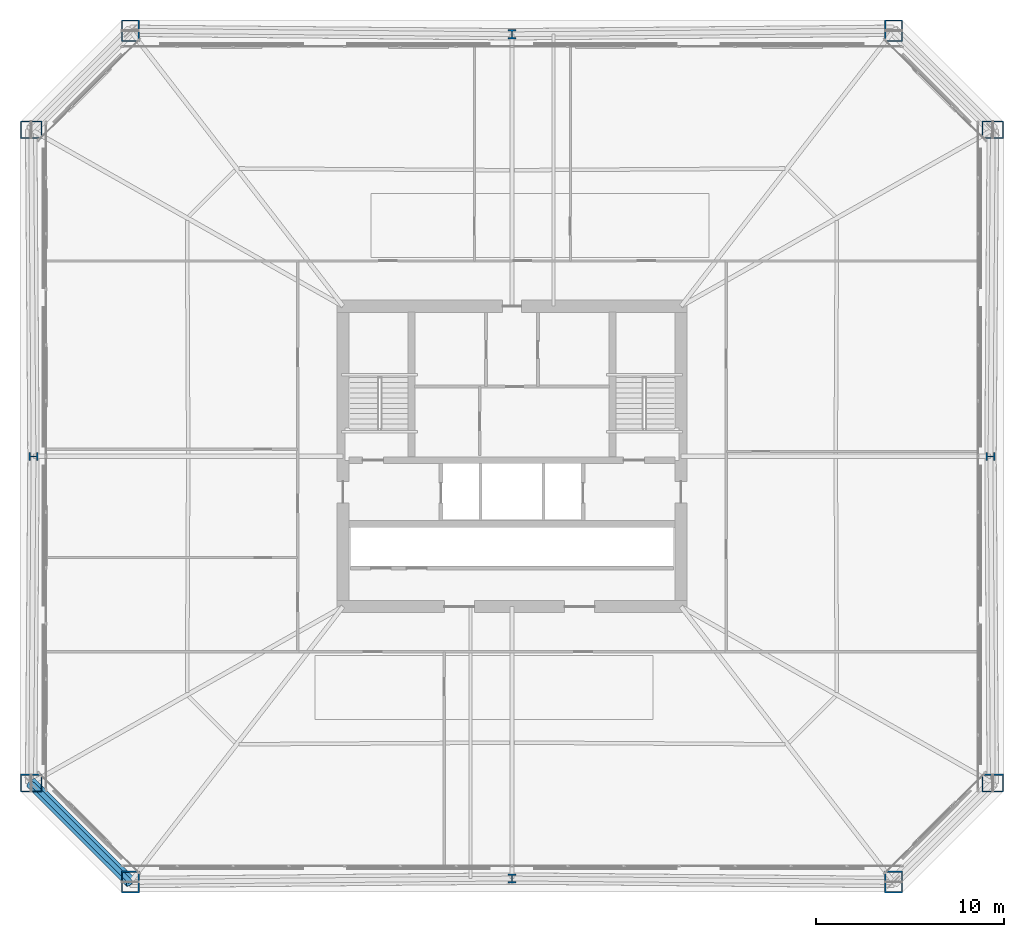
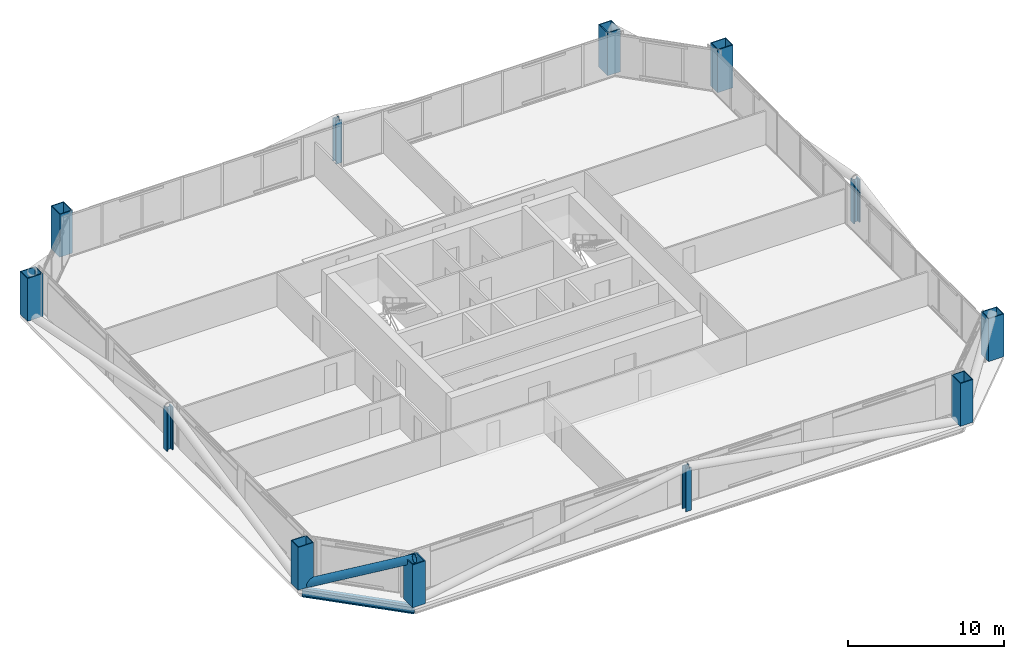
# One storey, part 1 of 50: 12 columns, 1 beam, 1 member.
"""IFC4 building model written with IfcOpenShell, lengths in metres."""

from ifc_helpers import new_model, si_unit, direction, frame, origin, origin_2d, place, context, subcontext, project, spatial, hollow_rectangle, hollow_circle, i_section, extrude, material, material_profile, profile_set, type_object, element, save


model = new_model("IFC4")

# Units and contexts
model_context = context("Model", 3, precision=1e-05, world=origin(), true_north=direction((0.0, 1.0)))
body_context = subcontext(model_context, "Body", "Model", "MODEL_VIEW")
ifc_project = project(units=[si_unit("LENGTHUNIT", "METRE"), si_unit("AREAUNIT", "SQUARE_METRE"), si_unit("VOLUMEUNIT", "CUBIC_METRE"), si_unit("PLANEANGLEUNIT", "RADIAN"), si_unit("MASSUNIT", "GRAM", prefix="KILO")], contexts=[model_context])

# Site, building, storey
site_placement = place(None, origin())
site = spatial("IfcSite", under=ifc_project, at=site_placement, CompositionType="ELEMENT")
building_placement = place(site_placement, origin())
building = spatial("IfcBuilding", under=site, at=building_placement, Name="Caelvoria Tower", CompositionType="ELEMENT")
storey_placement = place(building_placement, frame((0.0, 0.0, 71.199951171875)))
storey = spatial("IfcBuildingStorey", under=building, at=storey_placement, Name="L18", CompositionType="ELEMENT", Elevation=71.199951171875)

# Columns
ifc_material_1 = material(Name="Structural Steel ASTM A913 Gr.65", Category="steel")
ifc_material_profile_1 = material_profile(ifc_material_1, i_section(OverallWidth=0.427978515625, OverallDepth=0.48291015625, WebThickness=0.050537109375, FlangeThickness=0.08154296875, FilletRadius=0.02490234375, at=origin_2d()), Name="Structural Steel ASTM A913 Gr.65")
ifc_profile_set_1 = profile_set([ifc_material_profile_1], Name="W360X677 - Structural Steel ASTM A913 Gr.65")
column_type_1 = type_object("IfcColumnType", Name="Heavy Frame Column W360X677", PredefinedType="COLUMN", material=ifc_profile_set_1)
for number, where, z_axis, x_axis, name in (
    (1, (46.0, 9.52001953125, 0.0), (0.0, 0.0, 1.0), (1.0, 0.0, 0.0), "Perimeter Megaframe Column L18-P01"),
    (2, (71.47998046875, 32.0, 0.0), (0.0, 0.0, 1.0), (0.0, 1.0, 0.0), "Perimeter Megaframe Column L18-P04"),
    (3, (46.0, 54.47998046875, 0.0), (0.0, 0.0, 1.0), (1.0, 0.0, 0.0), "Perimeter Megaframe Column L18-P07"),
    (4, (20.52001953125, 32.0, 0.0), (0.0, 0.0, 1.0), (0.0, 1.0, 0.0), "Perimeter Megaframe Column L18-P10"),
):
    element("IfcColumn", number, at=place(storey_placement, frame(where, z_axis=z_axis, x_axis=x_axis)), inside=storey, type_object=column_type_1, Name=name, PredefinedType="COLUMN", context=body_context, shape_type="SweptSolid", body=[
        extrude(i_section(OverallWidth=0.427978515625, OverallDepth=0.48291015625, WebThickness=0.050537109375, FlangeThickness=0.08154296875, FilletRadius=0.02490234375, at=origin_2d()), origin(), (0.0, 0.0, 1.0), 3.358154296875),
    ])
ifc_material_2 = material(Name="Structural Steel ASTM A572 Gr.50", Category="steel")
ifc_material_profile_2 = material_profile(ifc_material_2, hollow_rectangle(XDim=0.949951171875, YDim=1.14990234375, WallThickness=0.06005859375, at=origin_2d()), Name="Structural Steel ASTM A572 Gr.50")
ifc_profile_set_2 = profile_set([ifc_material_profile_2], Name="BOX1150X950X60 - Structural Steel ASTM A572 Gr.50")
column_type_2 = type_object("IfcColumnType", Name="Mega Box Column 1150x950x60", PredefinedType="COLUMN", material=ifc_profile_set_2)
for number, where, z_axis, x_axis, name in (
    (5, (25.6806640625, 9.336181640625, 0.0), (0.0, 0.0, 1.0), (1.0, 0.0, 0.0), "Perimeter Megaframe Column L18-P00"),
    (6, (66.3193359375, 9.336181640625, 0.0), (0.0, 0.0, 1.0), (1.0, 0.0, 0.0), "Perimeter Megaframe Column L18-P02"),
    (7, (71.6044921875, 14.6044921875, 0.0), (0.0, 0.0, 1.0), (0.0, 1.0, 0.0), "Perimeter Megaframe Column L18-P03"),
    (8, (71.6044921875, 49.3955078125, 0.0), (0.0, 0.0, 1.0), (0.0, 1.0, 0.0), "Perimeter Megaframe Column L18-P05"),
    (9, (66.3193359375, 54.663818359375, 0.0), (0.0, 0.0, 1.0), (1.0, 0.0, 0.0), "Perimeter Megaframe Column L18-P06"),
    (10, (25.6806640625, 54.663818359375, 0.0), (0.0, 0.0, 1.0), (1.0, 0.0, 0.0), "Perimeter Megaframe Column L18-P08"),
    (11, (20.3955078125, 49.3955078125, 0.0), (0.0, 0.0, 1.0), (0.0, 1.0, 0.0), "Perimeter Megaframe Column L18-P09"),
    (12, (20.3955078125, 14.6044921875, 0.0), (0.0, 0.0, 1.0), (0.0, 1.0, 0.0), "Perimeter Megaframe Column L18-P11"),
):
    element("IfcColumn", number, at=place(storey_placement, frame(where, z_axis=z_axis, x_axis=x_axis)), inside=storey, type_object=column_type_2, Name=name, PredefinedType="COLUMN", context=body_context, shape_type="SweptSolid", body=[
        extrude(hollow_rectangle(XDim=0.949951171875, YDim=1.14990234375, WallThickness=0.06005859375, at=origin_2d()), origin(), (0.0, 0.0, 1.0), 3.358154296875),
    ])

# Member
ifc_material_profile_3 = material_profile(ifc_material_2, hollow_circle(Radius=0.304931640625, WallThickness=0.02490234375, at=origin_2d()), Name="Structural Steel ASTM A572 Gr.50")
ifc_profile_set_3 = profile_set([ifc_material_profile_3], Name="CHS610X25 - Structural Steel ASTM A572 Gr.50")
member_type = type_object("IfcMemberType", Name="Lower Perimeter Mega Brace CHS610X25", PredefinedType="BRACE", material=ifc_profile_set_3)
member_placement = place(storey_placement, frame((20.3955078125, 14.6044921875, 0.0), z_axis=(0.645789216717, -0.643730853082, 0.410568966633), x_axis=(0.70597718057, 0.708234580146, 0.0)))
element("IfcMember", 13, at=member_placement, inside=storey, type_object=member_type, Name="Perimeter Chamfer Mega Brace L18 SW", PredefinedType="BRACE", context=body_context, shape_type="SweptSolid", body=[
    extrude(hollow_circle(Radius=0.304931640625, WallThickness=0.02490234375, at=origin_2d()), origin(), (0.0, 0.0, 1.0), 8.18408203125),
])

# Beam
ifc_material_3 = material(Name="Structural Steel ASTM A992 Gr.50", Category="steel")
ifc_material_profile_4 = material_profile(ifc_material_3, i_section(OverallWidth=0.25390625, OverallDepth=0.68798828125, WebThickness=0.01318359375, FlangeThickness=0.02099609375, FilletRadius=0.01904296875, at=origin_2d()), Name="Structural Steel ASTM A992 Gr.50")
ifc_profile_set_4 = profile_set([ifc_material_profile_4], Name="W690X152 - Structural Steel ASTM A992 Gr.50")
beam_type = type_object("IfcBeamType", Name="Perimeter Spandrel Girder W690X152", PredefinedType="BEAM", material=ifc_profile_set_4)
beam_placement = place(storey_placement, frame((20.3955078125, 14.6044921875, -0.583984375), z_axis=(0.708234580146, -0.70597718057, 0.0), x_axis=(0.70597718057, 0.708234580146, 0.0)))
element("IfcBeam", 14, at=beam_placement, inside=storey, type_object=beam_type, Name="Perimeter Spandrel Girder L18-11", PredefinedType="BEAM", context=body_context, shape_type="SweptSolid", body=[
    extrude(i_section(OverallWidth=0.25390625, OverallDepth=0.68798828125, WebThickness=0.01318359375, FlangeThickness=0.02099609375, FilletRadius=0.01904296875, at=origin_2d()), origin(), (0.0, 0.0, 1.0), 7.46240234375),
])

save(model, "model.ifc")
